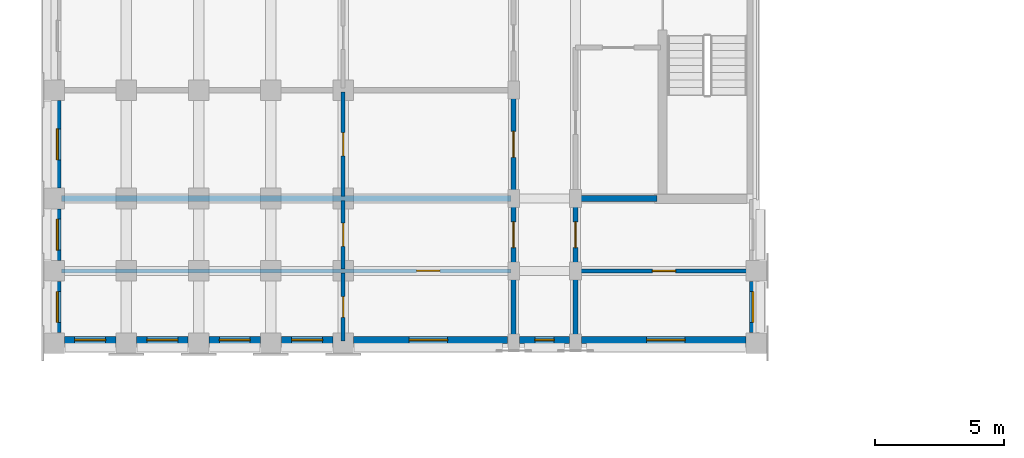
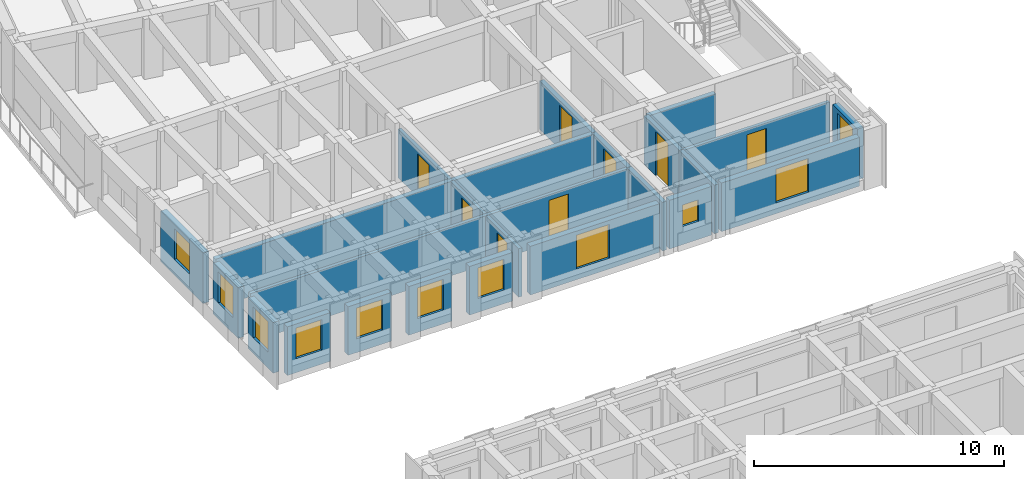
# One storey, part 22 of 54: 23 walls, 11 windows, 8 doors, 19 openings.
"""IFC4 building model written with IfcOpenShell, lengths in metres."""

from ifc_helpers import new_model, si_unit, direction, frame, frame_2d, origin, place, context, subcontext, project, spatial, rectangle, extrude, material, layer, layer_set, type_object, element, fill, save


model = new_model("IFC4")

# Units and contexts
model_context = context("Model", 3, precision=1e-05, world=origin(), true_north=direction((0.0, 1.0)))
body_context = subcontext(model_context, "Body", "Model", "MODEL_VIEW")
ifc_project = project(units=[si_unit("LENGTHUNIT", "METRE"), si_unit("AREAUNIT", "SQUARE_METRE"), si_unit("VOLUMEUNIT", "CUBIC_METRE"), si_unit("PLANEANGLEUNIT", "RADIAN"), si_unit("MASSUNIT", "GRAM", prefix="KILO")], contexts=[model_context])

# Site, building, storey
site_placement = place(None, origin())
site = spatial("IfcSite", under=ifc_project, at=site_placement, CompositionType="ELEMENT")
building_placement = place(site_placement, origin())
building = spatial("IfcBuilding", under=site, at=building_placement, Name="Kiranvali Square Residences", CompositionType="ELEMENT")
storey_placement = place(building_placement, frame((0.0, 0.0, 15.0)))
storey = spatial("IfcBuildingStorey", under=building, at=storey_placement, Name="L04", CompositionType="ELEMENT", Elevation=15.0)

# Wall, opening, door
ifc_material_1 = material(Name="Autoclaved aerated concrete blockwork masonry", Category="masonry")
ifc_layer_1 = layer(ifc_material_1, 0.199951171875)
ifc_layer_set_1 = layer_set([ifc_layer_1], Name="Autoclaved aerated concrete blockwork masonry")
wall_type_1 = type_object("IfcWallType", Name="WL-COR-200", PredefinedType="STANDARD", material=ifc_layer_set_1)
wall_1_placement = place(storey_placement, frame((20.0, 83.60009765625, 0.0), z_axis=(0.0, 0.0, 1.0), x_axis=(0.0, -1.0, 0.0)))
wall_1 = element("IfcWall", 1, at=wall_1_placement, inside=storey, type_object=wall_type_1, Name="L04 architectural wall WL-L04-A-A2CF-C1", PredefinedType="STANDARD", context=body_context, shape_type="SweptSolid", body=[
    extrude(rectangle(XDim=4.2001953125, YDim=0.199951171875, at=frame_2d((2.10009765625, 0.0))), origin(), (0.0, 0.0, 1.0), 2.3720703125),
])
opening_1_placement = place(wall_1_placement, frame((1.60009765625, 0.0, 0.0)))
opening_1 = element("IfcOpeningElement", 2, at=opening_1_placement, cuts=wall_1, Name="Opening FD-APT-60", PredefinedType="OPENING", context=body_context, shape_type="SweptSolid", body=[
    extrude(rectangle(XDim=1.0, YDim=2.14990234375, at=frame_2d((0.5, 1.074951171875))), frame((0.0, 0.10986328125, 0.0), z_axis=(0.0, -1.0, 0.0), x_axis=(1.0, 0.0, 0.0)), (0.0, 0.0, 1.0), 0.219970703125),
])
ifc_material_2 = material(Name="Fire-rated acoustic hardwood and mineral-core door assembly", Category="wood")
door_type_1 = type_object("IfcDoorType", Name="DR-APT-1000", OperationType="NOTDEFINED", PredefinedType="DOOR", material=ifc_material_2)
door_1_placement = place(opening_1_placement, frame((1.0, 0.0, 0.0), z_axis=(0.0, 0.0, 1.0), x_axis=(-1.0, 0.0, 0.0)))
door_1 = element("IfcDoor", 3, at=door_1_placement, inside=storey, type_object=door_type_1, Name="L04 door DR-L04-0322 (DR-APT-1000)", OperationType="SINGLE_SWING_RIGHT", OverallHeight=2.14990234375, OverallWidth=1.0, PredefinedType="DOOR", context=body_context, shape_type="SweptSolid", body=[
    extrude(rectangle(XDim=1.0, YDim=2.14990234375, at=frame_2d((0.5, 1.074951171875))), frame((0.0, 0.02490234375, 0.0), z_axis=(0.0, -1.0, 0.0), x_axis=(1.0, 0.0, 0.0)), (0.0, 0.0, 1.0), 0.050048828125),
])
fill(opening_1, door_1)

wall_2_placement = place(storey_placement, frame((22.39990234375, 79.39990234375, 0.0), z_axis=(0.0, 0.0, 1.0), x_axis=(0.0, -1.0, 0.0)))
wall_2 = element("IfcWall", 4, at=wall_2_placement, inside=storey, type_object=wall_type_1, Name="L04 architectural wall WL-L04-A-A2CI-0", PredefinedType="STANDARD", context=body_context, shape_type="SweptSolid", body=[
    extrude(rectangle(XDim=2.7998046875, YDim=0.199951171875, at=frame_2d((1.39990234375, 0.0))), origin(), (0.0, 0.0, 1.0), 2.3720703125),
])
opening_2_placement = place(wall_2_placement, frame((0.89990234375, 0.0, 0.0)))
opening_2 = element("IfcOpeningElement", 5, at=opening_2_placement, cuts=wall_2, Name="Opening FD-APT-60", PredefinedType="OPENING", context=body_context, shape_type="SweptSolid", body=[
    extrude(rectangle(XDim=1.0, YDim=2.14990234375, at=frame_2d((0.5, 1.074951171875))), frame((0.0, 0.10986328125, 0.0), z_axis=(0.0, -1.0, 0.0), x_axis=(1.0, 0.0, 0.0)), (0.0, 0.0, 1.0), 0.219970703125),
])
door_2_placement = place(opening_2_placement, frame((1.0, 0.0, 0.0), z_axis=(0.0, 0.0, 1.0), x_axis=(-1.0, 0.0, 0.0)))
door_2 = element("IfcDoor", 6, at=door_2_placement, inside=storey, type_object=door_type_1, Name="L04 door DR-L04-0324 (DR-APT-1000)", OperationType="SINGLE_SWING_RIGHT", OverallHeight=2.14990234375, OverallWidth=1.0, PredefinedType="DOOR", context=body_context, shape_type="SweptSolid", body=[
    extrude(rectangle(XDim=1.0, YDim=2.14990234375, at=frame_2d((0.5, 1.074951171875))), frame((0.0, 0.02490234375, 0.0), z_axis=(0.0, -1.0, 0.0), x_axis=(1.0, 0.0, 0.0)), (0.0, 0.0, 1.0), 0.050048828125),
])
fill(opening_2, door_2)

wall_3_placement = place(storey_placement, frame((20.0, 79.39990234375, 0.0), z_axis=(0.0, 0.0, 1.0), x_axis=(0.0, -1.0, 0.0)))
wall_3 = element("IfcWall", 7, at=wall_3_placement, inside=storey, type_object=wall_type_1, Name="L04 architectural wall WL-L04-A-A2CO-0", PredefinedType="STANDARD", context=body_context, shape_type="SweptSolid", body=[
    extrude(rectangle(XDim=2.7998046875, YDim=0.199951171875, at=frame_2d((1.39990234375, 0.0))), origin(), (0.0, 0.0, 1.0), 2.3720703125),
])
opening_3_placement = place(wall_3_placement, frame((0.89990234375, 0.0, 0.0)))
opening_3 = element("IfcOpeningElement", 8, at=opening_3_placement, cuts=wall_3, Name="Opening FD-APT-60", PredefinedType="OPENING", context=body_context, shape_type="SweptSolid", body=[
    extrude(rectangle(XDim=1.0, YDim=2.14990234375, at=frame_2d((0.5, 1.074951171875))), frame((0.0, 0.10986328125, 0.0), z_axis=(0.0, -1.0, 0.0), x_axis=(1.0, 0.0, 0.0)), (0.0, 0.0, 1.0), 0.219970703125),
])
door_3_placement = place(opening_3_placement, frame((1.0, 0.0, 0.0), z_axis=(0.0, 0.0, 1.0), x_axis=(-1.0, 0.0, 0.0)))
door_3 = element("IfcDoor", 9, at=door_3_placement, inside=storey, type_object=door_type_1, Name="L04 door DR-L04-0326 (DR-APT-1000)", OperationType="SINGLE_SWING_RIGHT", OverallHeight=2.14990234375, OverallWidth=1.0, PredefinedType="DOOR", context=body_context, shape_type="SweptSolid", body=[
    extrude(rectangle(XDim=1.0, YDim=2.14990234375, at=frame_2d((0.5, 1.074951171875))), frame((0.0, 0.02490234375, 0.0), z_axis=(0.0, -1.0, 0.0), x_axis=(1.0, 0.0, 0.0)), (0.0, 0.0, 1.0), 0.050048828125),
])
fill(opening_3, door_3)

# Walls
for number, where, z_axis, x_axis, name in (
    (10, (22.39990234375, 76.60009765625, 0.0), (0.0, 0.0, 1.0), (0.0, -1.0, 0.0), "L04 architectural wall WL-L04-A-A2CI-1"),
    (11, (20.0, 76.60009765625, 0.0), (0.0, 0.0, 1.0), (0.0, -1.0, 0.0), "L04 architectural wall WL-L04-A-A2CO-1"),
):
    element("IfcWall", number, at=place(storey_placement, frame(where, z_axis=z_axis, x_axis=x_axis)), inside=storey, type_object=wall_type_1, Name=name, PredefinedType="STANDARD", context=body_context, shape_type="SweptSolid", body=[
        extrude(rectangle(XDim=2.800048828125, YDim=0.199951171875, at=frame_2d((1.39990234375, 0.0))), origin(), (0.0, 0.0, 1.0), 2.3720703125),
    ])
ifc_layer_2 = layer(ifc_material_1, 0.219970703125)
ifc_layer_set_2 = layer_set([ifc_layer_2], Name="Autoclaved aerated concrete blockwork masonry")
wall_type_2 = type_object("IfcWallType", Name="WL-DEM-220", PredefinedType="STANDARD", material=ifc_layer_set_2)
wall_4_placement = place(storey_placement, frame((25.550048828125, 79.39990234375, 0.0), z_axis=(0.0, 0.0, 1.0), x_axis=(-1.0, 0.0, 0.0)))
element("IfcWall", 12, at=wall_4_placement, inside=storey, type_object=wall_type_2, Name="L04 architectural wall WL-L04-A-A2TI-0", PredefinedType="STANDARD", context=body_context, shape_type="SweptSolid", body=[
    extrude(rectangle(XDim=3.10009765625, YDim=0.219970703125, at=frame_2d((1.550048828125, 0.0))), origin(), (0.0, 0.0, 1.0), 2.3720703125),
])
wall_5_placement = place(storey_placement, frame((19.89990234375, 79.39990234375, 0.0), z_axis=(0.0, 0.0, 1.0), x_axis=(-1.0, 0.0, 0.0)))
element("IfcWall", 13, at=wall_5_placement, inside=storey, type_object=wall_type_2, Name="L04 architectural wall WL-L04-A-A2TO-0", PredefinedType="STANDARD", context=body_context, shape_type="SweptSolid", body=[
    extrude(rectangle(XDim=17.419921875, YDim=0.219970703125, at=frame_2d((8.7099609375, 0.0))), origin(), (0.0, 0.0, 1.0), 2.3720703125),
])

# Wall, opening, window
ifc_material_3 = material(Name="Breathable lime-rendered clay brick masonry", Category="masonry")
ifc_layer_3 = layer(ifc_material_3, 0.27490234375)
ifc_layer_set_3 = layer_set([ifc_layer_3], Name="Breathable lime-rendered clay brick masonry")
wall_type_3 = type_object("IfcWallType", Name="WL-EXT-275", PredefinedType="STANDARD", material=ifc_layer_set_3)
wall_6_placement = place(storey_placement, frame((2.324951171875, 83.196533203125, 0.0), z_axis=(0.0, 0.0, 1.0), x_axis=(0.0, -1.0, 0.0)))
wall_6 = element("IfcWall", 14, at=wall_6_placement, inside=storey, type_object=wall_type_3, Name="L04 exterior wall A-L04-A2O-1", PredefinedType="STANDARD", context=body_context, shape_type="SweptSolid", body=[
    extrude(rectangle(XDim=3.39306640625, YDim=0.27490234375, at=frame_2d((1.696533203125, 0.0))), origin(), (0.0, 0.0, 1.0), 2.471923828125),
])
opening_4_placement = place(wall_6_placement, frame((1.096435546875, 0.0, 0.77197265625)))
opening_4 = element("IfcOpeningElement", 15, at=opening_4_placement, cuts=wall_6, Name="Opening W-06", PredefinedType="OPENING", context=body_context, shape_type="SweptSolid", body=[
    extrude(rectangle(XDim=1.199951171875, YDim=1.5, at=frame_2d((0.60009765625, 0.75))), frame((0.0, 0.1474609375, 0.0), z_axis=(0.0, -1.0, 0.0), x_axis=(1.0, 0.0, 0.0)), (0.0, 0.0, 1.0), 0.294921875),
])
ifc_material_4 = material(Name="Solar-control low-e double glazing", Category="glass")
window_type_1 = type_object("IfcWindowType", Name="WIN-RES-1200x1500", PartitioningType="SINGLE_PANEL", PredefinedType="WINDOW", material=ifc_material_4)
window_1_placement = place(opening_4_placement, origin())
window_1 = element("IfcWindow", 16, at=window_1_placement, inside=storey, type_object=window_type_1, Name="L04 recessed window A-L04-A2O-1", OverallHeight=1.5, OverallWidth=1.199951171875, PartitioningType="SINGLE_PANEL", PredefinedType="WINDOW", context=body_context, shape_type="SweptSolid", body=[
    extrude(rectangle(XDim=1.199951171875, YDim=1.5, at=frame_2d((0.60009765625, 0.75))), frame((0.0, 0.030029296875, 0.0), z_axis=(0.0, -1.0, 0.0), x_axis=(1.0, 0.0, 0.0)), (0.0, 0.0, 1.0), 0.06005859375),
])
fill(opening_4, window_1)

wall_7_placement = place(storey_placement, frame((2.324951171875, 78.99658203125, 0.0), z_axis=(0.0, 0.0, 1.0), x_axis=(0.0, -1.0, 0.0)))
wall_7 = element("IfcWall", 17, at=wall_7_placement, inside=storey, type_object=wall_type_3, Name="L04 exterior wall A-L04-A2O-2", PredefinedType="STANDARD", context=body_context, shape_type="SweptSolid", body=[
    extrude(rectangle(XDim=1.9931640625, YDim=0.27490234375, at=frame_2d((0.99658203125, 0.0))), origin(), (0.0, 0.0, 1.0), 2.471923828125),
])
opening_5_placement = place(wall_7_placement, frame((0.396484375, 0.0, 0.77197265625)))
opening_5 = element("IfcOpeningElement", 18, at=opening_5_placement, cuts=wall_7, Name="Opening W-06", PredefinedType="OPENING", context=body_context, shape_type="SweptSolid", body=[
    extrude(rectangle(XDim=1.199951171875, YDim=1.5, at=frame_2d((0.60009765625, 0.75))), frame((0.0, 0.1474609375, 0.0), z_axis=(0.0, -1.0, 0.0), x_axis=(1.0, 0.0, 0.0)), (0.0, 0.0, 1.0), 0.294921875),
])
window_2_placement = place(opening_5_placement, origin())
window_2 = element("IfcWindow", 19, at=window_2_placement, inside=storey, type_object=window_type_1, Name="L04 recessed window A-L04-A2O-2", OverallHeight=1.5, OverallWidth=1.199951171875, PartitioningType="SINGLE_PANEL", PredefinedType="WINDOW", context=body_context, shape_type="SweptSolid", body=[
    extrude(rectangle(XDim=1.199951171875, YDim=1.5, at=frame_2d((0.60009765625, 0.75))), frame((0.0, 0.030029296875, 0.0), z_axis=(0.0, -1.0, 0.0), x_axis=(1.0, 0.0, 0.0)), (0.0, 0.0, 1.0), 0.06005859375),
])
fill(opening_5, window_2)

wall_8_placement = place(storey_placement, frame((2.324951171875, 76.196533203125, 0.0), z_axis=(0.0, 0.0, 1.0), x_axis=(0.0, -1.0, 0.0)))
wall_8 = element("IfcWall", 20, at=wall_8_placement, inside=storey, type_object=wall_type_3, Name="L04 exterior wall A-L04-A2O-3", PredefinedType="STANDARD", context=body_context, shape_type="SweptSolid", body=[
    extrude(rectangle(XDim=1.992919921875, YDim=0.27490234375, at=frame_2d((0.99658203125, 0.0))), origin(), (0.0, 0.0, 1.0), 2.471923828125),
])
opening_6_placement = place(wall_8_placement, frame((0.396484375, 0.0, 0.77197265625)))
opening_6 = element("IfcOpeningElement", 21, at=opening_6_placement, cuts=wall_8, Name="Opening W-06", PredefinedType="OPENING", context=body_context, shape_type="SweptSolid", body=[
    extrude(rectangle(XDim=1.199951171875, YDim=1.5, at=frame_2d((0.60009765625, 0.75))), frame((0.0, 0.1474609375, 0.0), z_axis=(0.0, -1.0, 0.0), x_axis=(1.0, 0.0, 0.0)), (0.0, 0.0, 1.0), 0.294921875),
])
window_3_placement = place(opening_6_placement, origin())
window_3 = element("IfcWindow", 22, at=window_3_placement, inside=storey, type_object=window_type_1, Name="L04 recessed window A-L04-A2O-3", OverallHeight=1.5, OverallWidth=1.199951171875, PartitioningType="SINGLE_PANEL", PredefinedType="WINDOW", context=body_context, shape_type="SweptSolid", body=[
    extrude(rectangle(XDim=1.199951171875, YDim=1.5, at=frame_2d((0.60009765625, 0.75))), frame((0.0, 0.030029296875, 0.0), z_axis=(0.0, -1.0, 0.0), x_axis=(1.0, 0.0, 0.0)), (0.0, 0.0, 1.0), 0.06005859375),
])
fill(opening_6, window_3)

wall_9_placement = place(storey_placement, frame((29.27490234375, 76.196533203125, 0.0), z_axis=(0.0, 0.0, 1.0), x_axis=(0.0, -1.0, 0.0)))
wall_9 = element("IfcWall", 23, at=wall_9_placement, inside=storey, type_object=wall_type_3, Name="L04 exterior wall A-L04-A2I-1", PredefinedType="STANDARD", context=body_context, shape_type="SweptSolid", body=[
    extrude(rectangle(XDim=1.992919921875, YDim=0.27490234375, at=frame_2d((0.99658203125, 0.0))), origin(), (0.0, 0.0, 1.0), 2.471923828125),
])
opening_7_placement = place(wall_9_placement, frame((0.396484375, 0.0, 0.77197265625)))
opening_7 = element("IfcOpeningElement", 24, at=opening_7_placement, cuts=wall_9, Name="Opening W-06", PredefinedType="OPENING", context=body_context, shape_type="SweptSolid", body=[
    extrude(rectangle(XDim=1.199951171875, YDim=1.5, at=frame_2d((0.60009765625, 0.75))), frame((0.0, 0.1474609375, 0.0), z_axis=(0.0, -1.0, 0.0), x_axis=(1.0, 0.0, 0.0)), (0.0, 0.0, 1.0), 0.294921875),
])
window_4_placement = place(opening_7_placement, origin())
window_4 = element("IfcWindow", 25, at=window_4_placement, inside=storey, type_object=window_type_1, Name="L04 recessed window A-L04-A2I-1", OverallHeight=1.5, OverallWidth=1.199951171875, PartitioningType="SINGLE_PANEL", PredefinedType="WINDOW", context=body_context, shape_type="SweptSolid", body=[
    extrude(rectangle(XDim=1.199951171875, YDim=1.5, at=frame_2d((0.60009765625, 0.75))), frame((0.0, 0.030029296875, 0.0), z_axis=(0.0, -1.0, 0.0), x_axis=(1.0, 0.0, 0.0)), (0.0, 0.0, 1.0), 0.06005859375),
])
fill(opening_7, window_4)

wall_10_placement = place(storey_placement, frame((28.99658203125, 73.925048828125, 0.0), z_axis=(0.0, 0.0, 1.0), x_axis=(-1.0, 0.0, 0.0)))
wall_10 = element("IfcWall", 26, at=wall_10_placement, inside=storey, type_object=wall_type_3, Name="L04 exterior wall A-L04-A2END-0", PredefinedType="STANDARD", context=body_context, shape_type="SweptSolid", body=[
    extrude(rectangle(XDim=6.3681640625, YDim=0.27490234375, at=frame_2d((3.18408203125, 0.0))), origin(), (0.0, 0.0, 1.0), 2.3720703125),
])
opening_8_placement = place(wall_10_placement, frame((2.346435546875, 0.0, 0.52197265625)))
opening_8 = element("IfcOpeningElement", 27, at=opening_8_placement, cuts=wall_10, Name="Opening W-05", PredefinedType="OPENING", context=body_context, shape_type="SweptSolid", body=[
    extrude(rectangle(XDim=1.5, YDim=1.64990234375, at=frame_2d((0.75, 0.824951171875))), frame((0.0, 0.1474609375, 0.0), z_axis=(0.0, -1.0, 0.0), x_axis=(1.0, 0.0, 0.0)), (0.0, 0.0, 1.0), 0.294921875),
])
window_type_2 = type_object("IfcWindowType", Name="WIN-RES-1500x1650", PartitioningType="DOUBLE_PANEL_VERTICAL", PredefinedType="WINDOW", material=ifc_material_4)
window_5_placement = place(opening_8_placement, origin())
window_5 = element("IfcWindow", 28, at=window_5_placement, inside=storey, type_object=window_type_2, Name="L04 recessed window A-L04-A2END-0", OverallHeight=1.64990234375, OverallWidth=1.5, PartitioningType="DOUBLE_PANEL_VERTICAL", PredefinedType="WINDOW", context=body_context, shape_type="SweptSolid", body=[
    extrude(rectangle(XDim=1.5, YDim=1.64990234375, at=frame_2d((0.75, 0.824951171875))), frame((0.0, 0.030029296875, 0.0), z_axis=(0.0, -1.0, 0.0), x_axis=(1.0, 0.0, 0.0)), (0.0, 0.0, 1.0), 0.06005859375),
])
fill(opening_8, window_5)

wall_11_placement = place(storey_placement, frame((22.17138671875, 73.925048828125, 0.0), z_axis=(0.0, 0.0, 1.0), x_axis=(-1.0, 0.0, 0.0)))
wall_11 = element("IfcWall", 29, at=wall_11_placement, inside=storey, type_object=wall_type_3, Name="L04 exterior wall A-L04-A2END-1", PredefinedType="STANDARD", context=body_context, shape_type="SweptSolid", body=[
    extrude(rectangle(XDim=1.94287109375, YDim=0.27490234375, at=frame_2d((0.971435546875, 0.0))), origin(), (0.0, 0.0, 1.0), 2.3720703125),
])
opening_9_placement = place(wall_11_placement, frame((0.596435546875, 0.0, 0.8798828125)))
opening_9 = element("IfcOpeningElement", 30, at=opening_9_placement, cuts=wall_11, Name="Opening W-07", PredefinedType="OPENING", context=body_context, shape_type="SweptSolid", body=[
    extrude(rectangle(XDim=0.75, YDim=1.050048828125, at=frame_2d((0.375, 0.52490234375))), frame((0.0, 0.1474609375, 0.0), z_axis=(0.0, -1.0, 0.0), x_axis=(1.0, 0.0, 0.0)), (0.0, 0.0, 1.0), 0.294921875),
])
window_type_3 = type_object("IfcWindowType", Name="WIN-WET-750x1050", PartitioningType="SINGLE_PANEL", PredefinedType="WINDOW", material=ifc_material_4)
window_6_placement = place(opening_9_placement, origin())
window_6 = element("IfcWindow", 31, at=window_6_placement, inside=storey, type_object=window_type_3, Name="L04 recessed window A-L04-A2END-1", OverallHeight=1.050048828125, OverallWidth=0.75, PartitioningType="SINGLE_PANEL", PredefinedType="WINDOW", context=body_context, shape_type="SweptSolid", body=[
    extrude(rectangle(XDim=0.75, YDim=1.050048828125, at=frame_2d((0.375, 0.52490234375))), frame((0.0, 0.030029296875, 0.0), z_axis=(0.0, -1.0, 0.0), x_axis=(1.0, 0.0, 0.0)), (0.0, 0.0, 1.0), 0.06005859375),
])
fill(opening_9, window_6)

wall_12_placement = place(storey_placement, frame((19.771484375, 73.925048828125, 0.0), z_axis=(0.0, 0.0, 1.0), x_axis=(-1.0, 0.0, 0.0)))
wall_12 = element("IfcWall", 32, at=wall_12_placement, inside=storey, type_object=wall_type_3, Name="L04 exterior wall A-L04-A2END-2", PredefinedType="STANDARD", context=body_context, shape_type="SweptSolid", body=[
    extrude(rectangle(XDim=5.968017578125, YDim=0.27490234375, at=frame_2d((2.98388671875, 0.0))), origin(), (0.0, 0.0, 1.0), 2.3720703125),
])
opening_10_placement = place(wall_12_placement, frame((2.321533203125, 0.0, 0.52197265625)))
opening_10 = element("IfcOpeningElement", 33, at=opening_10_placement, cuts=wall_12, Name="Opening W-05", PredefinedType="OPENING", context=body_context, shape_type="SweptSolid", body=[
    extrude(rectangle(XDim=1.5, YDim=1.64990234375, at=frame_2d((0.75, 0.824951171875))), frame((0.0, 0.1474609375, 0.0), z_axis=(0.0, -1.0, 0.0), x_axis=(1.0, 0.0, 0.0)), (0.0, 0.0, 1.0), 0.294921875),
])
window_7_placement = place(opening_10_placement, origin())
window_7 = element("IfcWindow", 34, at=window_7_placement, inside=storey, type_object=window_type_2, Name="L04 recessed window A-L04-A2END-2", OverallHeight=1.64990234375, OverallWidth=1.5, PartitioningType="DOUBLE_PANEL_VERTICAL", PredefinedType="WINDOW", context=body_context, shape_type="SweptSolid", body=[
    extrude(rectangle(XDim=1.5, YDim=1.64990234375, at=frame_2d((0.75, 0.824951171875))), frame((0.0, 0.030029296875, 0.0), z_axis=(0.0, -1.0, 0.0), x_axis=(1.0, 0.0, 0.0)), (0.0, 0.0, 1.0), 0.06005859375),
])
fill(opening_10, window_7)

wall_13_placement = place(storey_placement, frame((12.99658203125, 73.925048828125, 0.0), z_axis=(0.0, 0.0, 1.0), x_axis=(-1.0, 0.0, 0.0)))
wall_13 = element("IfcWall", 35, at=wall_13_placement, inside=storey, type_object=wall_type_3, Name="L04 exterior wall A-L04-A2END-3", PredefinedType="STANDARD", context=body_context, shape_type="SweptSolid", body=[
    extrude(rectangle(XDim=1.9931640625, YDim=0.27490234375, at=frame_2d((0.99658203125, 0.0))), origin(), (0.0, 0.0, 1.0), 2.3720703125),
])
opening_11_placement = place(wall_13_placement, frame((0.396484375, 0.0, 0.672119140625)))
opening_11 = element("IfcOpeningElement", 36, at=opening_11_placement, cuts=wall_13, Name="Opening W-06", PredefinedType="OPENING", context=body_context, shape_type="SweptSolid", body=[
    extrude(rectangle(XDim=1.199951171875, YDim=1.5, at=frame_2d((0.60009765625, 0.75))), frame((0.0, 0.1474609375, 0.0), z_axis=(0.0, -1.0, 0.0), x_axis=(1.0, 0.0, 0.0)), (0.0, 0.0, 1.0), 0.294921875),
])
window_8_placement = place(opening_11_placement, origin())
window_8 = element("IfcWindow", 37, at=window_8_placement, inside=storey, type_object=window_type_1, Name="L04 recessed window A-L04-A2END-3", OverallHeight=1.5, OverallWidth=1.199951171875, PartitioningType="SINGLE_PANEL", PredefinedType="WINDOW", context=body_context, shape_type="SweptSolid", body=[
    extrude(rectangle(XDim=1.199951171875, YDim=1.5, at=frame_2d((0.60009765625, 0.75))), frame((0.0, 0.030029296875, 0.0), z_axis=(0.0, -1.0, 0.0), x_axis=(1.0, 0.0, 0.0)), (0.0, 0.0, 1.0), 0.06005859375),
])
fill(opening_11, window_8)

wall_14_placement = place(storey_placement, frame((10.196533203125, 73.925048828125, 0.0), z_axis=(0.0, 0.0, 1.0), x_axis=(-1.0, 0.0, 0.0)))
wall_14 = element("IfcWall", 38, at=wall_14_placement, inside=storey, type_object=wall_type_3, Name="L04 exterior wall A-L04-A2END-4", PredefinedType="STANDARD", context=body_context, shape_type="SweptSolid", body=[
    extrude(rectangle(XDim=1.992919921875, YDim=0.27490234375, at=frame_2d((0.99658203125, 0.0))), origin(), (0.0, 0.0, 1.0), 2.3720703125),
])
opening_12_placement = place(wall_14_placement, frame((0.396484375, 0.0, 0.672119140625)))
opening_12 = element("IfcOpeningElement", 39, at=opening_12_placement, cuts=wall_14, Name="Opening W-06", PredefinedType="OPENING", context=body_context, shape_type="SweptSolid", body=[
    extrude(rectangle(XDim=1.199951171875, YDim=1.5, at=frame_2d((0.60009765625, 0.75))), frame((0.0, 0.1474609375, 0.0), z_axis=(0.0, -1.0, 0.0), x_axis=(1.0, 0.0, 0.0)), (0.0, 0.0, 1.0), 0.294921875),
])
window_9_placement = place(opening_12_placement, origin())
window_9 = element("IfcWindow", 40, at=window_9_placement, inside=storey, type_object=window_type_1, Name="L04 recessed window A-L04-A2END-4", OverallHeight=1.5, OverallWidth=1.199951171875, PartitioningType="SINGLE_PANEL", PredefinedType="WINDOW", context=body_context, shape_type="SweptSolid", body=[
    extrude(rectangle(XDim=1.199951171875, YDim=1.5, at=frame_2d((0.60009765625, 0.75))), frame((0.0, 0.030029296875, 0.0), z_axis=(0.0, -1.0, 0.0), x_axis=(1.0, 0.0, 0.0)), (0.0, 0.0, 1.0), 0.06005859375),
])
fill(opening_12, window_9)

wall_15_placement = place(storey_placement, frame((7.396484375, 73.925048828125, 0.0), z_axis=(0.0, 0.0, 1.0), x_axis=(-1.0, 0.0, 0.0)))
wall_15 = element("IfcWall", 41, at=wall_15_placement, inside=storey, type_object=wall_type_3, Name="L04 exterior wall A-L04-A2END-5", PredefinedType="STANDARD", context=body_context, shape_type="SweptSolid", body=[
    extrude(rectangle(XDim=1.992919921875, YDim=0.27490234375, at=frame_2d((0.99658203125, 0.0))), origin(), (0.0, 0.0, 1.0), 2.3720703125),
])
opening_13_placement = place(wall_15_placement, frame((0.396484375, 0.0, 0.672119140625)))
opening_13 = element("IfcOpeningElement", 42, at=opening_13_placement, cuts=wall_15, Name="Opening W-06", PredefinedType="OPENING", context=body_context, shape_type="SweptSolid", body=[
    extrude(rectangle(XDim=1.199951171875, YDim=1.5, at=frame_2d((0.60009765625, 0.75))), frame((0.0, 0.1474609375, 0.0), z_axis=(0.0, -1.0, 0.0), x_axis=(1.0, 0.0, 0.0)), (0.0, 0.0, 1.0), 0.294921875),
])
window_10_placement = place(opening_13_placement, origin())
window_10 = element("IfcWindow", 43, at=window_10_placement, inside=storey, type_object=window_type_1, Name="L04 recessed window A-L04-A2END-5", OverallHeight=1.5, OverallWidth=1.199951171875, PartitioningType="SINGLE_PANEL", PredefinedType="WINDOW", context=body_context, shape_type="SweptSolid", body=[
    extrude(rectangle(XDim=1.199951171875, YDim=1.5, at=frame_2d((0.60009765625, 0.75))), frame((0.0, 0.030029296875, 0.0), z_axis=(0.0, -1.0, 0.0), x_axis=(1.0, 0.0, 0.0)), (0.0, 0.0, 1.0), 0.06005859375),
])
fill(opening_13, window_10)

wall_16_placement = place(storey_placement, frame((4.596435546875, 73.925048828125, 0.0), z_axis=(0.0, 0.0, 1.0), x_axis=(-1.0, 0.0, 0.0)))
wall_16 = element("IfcWall", 44, at=wall_16_placement, inside=storey, type_object=wall_type_3, Name="L04 exterior wall A-L04-A2END-6", PredefinedType="STANDARD", context=body_context, shape_type="SweptSolid", body=[
    extrude(rectangle(XDim=1.992919921875, YDim=0.27490234375, at=frame_2d((0.99658203125, 0.0))), origin(), (0.0, 0.0, 1.0), 2.3720703125),
])
opening_14_placement = place(wall_16_placement, frame((0.396484375, 0.0, 0.672119140625)))
opening_14 = element("IfcOpeningElement", 45, at=opening_14_placement, cuts=wall_16, Name="Opening W-06", PredefinedType="OPENING", context=body_context, shape_type="SweptSolid", body=[
    extrude(rectangle(XDim=1.199951171875, YDim=1.5, at=frame_2d((0.60009765625, 0.75))), frame((0.0, 0.1474609375, 0.0), z_axis=(0.0, -1.0, 0.0), x_axis=(1.0, 0.0, 0.0)), (0.0, 0.0, 1.0), 0.294921875),
])
window_11_placement = place(opening_14_placement, origin())
window_11 = element("IfcWindow", 46, at=window_11_placement, inside=storey, type_object=window_type_1, Name="L04 recessed window A-L04-A2END-6", OverallHeight=1.5, OverallWidth=1.199951171875, PartitioningType="SINGLE_PANEL", PredefinedType="WINDOW", context=body_context, shape_type="SweptSolid", body=[
    extrude(rectangle(XDim=1.199951171875, YDim=1.5, at=frame_2d((0.60009765625, 0.75))), frame((0.0, 0.030029296875, 0.0), z_axis=(0.0, -1.0, 0.0), x_axis=(1.0, 0.0, 0.0)), (0.0, 0.0, 1.0), 0.06005859375),
])
fill(opening_14, window_11)

# Wall, opening, door
ifc_material_5 = material(Name="Acoustic gypsum board drylined partition", Category="gypsum")
ifc_layer_4 = layer(ifc_material_5, 0.14990234375)
ifc_layer_set_4 = layer_set([ifc_layer_4], Name="Acoustic gypsum board drylined partition")
wall_type_4 = type_object("IfcWallType", Name="WL-PRT-150", PredefinedType="PARTITIONING", material=ifc_layer_set_4)
wall_17_placement = place(storey_placement, frame((13.39990234375, 83.52001953125, 0.0), z_axis=(0.0, 0.0, 1.0), x_axis=(0.0, -1.0, 0.0)))
wall_17 = element("IfcWall", 47, at=wall_17_placement, inside=storey, type_object=wall_type_4, Name="L04 architectural wall WL-L04-A-A2CF-SP1", PredefinedType="PARTITIONING", context=body_context, shape_type="SweptSolid", body=[
    extrude(rectangle(XDim=4.0400390625, YDim=0.14990234375, at=frame_2d((2.02001953125, 0.0))), origin(), (0.0, 0.0, 1.0), 2.3720703125),
])
opening_15_placement = place(wall_17_placement, frame((1.570068359375, 0.0, 0.0)))
opening_15 = element("IfcOpeningElement", 48, at=opening_15_placement, cuts=wall_17, Name="Opening ID-1", PredefinedType="OPENING", context=body_context, shape_type="SweptSolid", body=[
    extrude(rectangle(XDim=0.89990234375, YDim=2.10009765625, at=frame_2d((0.449951171875, 1.050048828125))), frame((0.0, 0.0849609375, 0.0), z_axis=(0.0, -1.0, 0.0), x_axis=(1.0, 0.0, 0.0)), (0.0, 0.0, 1.0), 0.169921875),
])
ifc_material_6 = material(Name="Solid seasoned teak hardwood joinery", Category="wood")
door_type_2 = type_object("IfcDoorType", Name="DR-INT-900", OperationType="NOTDEFINED", PredefinedType="DOOR", material=ifc_material_6)
door_4_placement = place(opening_15_placement, origin())
door_4 = element("IfcDoor", 49, at=door_4_placement, inside=storey, type_object=door_type_2, Name="L04 door DR-L04-0323 (DR-INT-900)", OperationType="SINGLE_SWING_LEFT", OverallHeight=2.10009765625, OverallWidth=0.89990234375, PredefinedType="DOOR", context=body_context, shape_type="SweptSolid", body=[
    extrude(rectangle(XDim=0.89990234375, YDim=2.10009765625, at=frame_2d((0.449951171875, 1.050048828125))), frame((0.0, 0.02490234375, 0.0), z_axis=(0.0, -1.0, 0.0), x_axis=(1.0, 0.0, 0.0)), (0.0, 0.0, 1.0), 0.050048828125),
])
fill(opening_15, door_4)

wall_18_placement = place(storey_placement, frame((29.199951171875, 76.60009765625, 0.0), z_axis=(0.0, 0.0, 1.0), x_axis=(-1.0, 0.0, 0.0)))
wall_18 = element("IfcWall", 50, at=wall_18_placement, inside=storey, type_object=wall_type_4, Name="L04 architectural wall WL-L04-A-A2TI-1", PredefinedType="PARTITIONING", context=body_context, shape_type="SweptSolid", body=[
    extrude(rectangle(XDim=6.75, YDim=0.14990234375, at=frame_2d((3.375, 0.0))), origin(), (0.0, 0.0, 1.0), 2.3720703125),
])
opening_16_placement = place(wall_18_placement, frame((2.925048828125, 0.0, 0.0)))
opening_16 = element("IfcOpeningElement", 51, at=opening_16_placement, cuts=wall_18, Name="Opening ID-1", PredefinedType="OPENING", context=body_context, shape_type="SweptSolid", body=[
    extrude(rectangle(XDim=0.89990234375, YDim=2.10009765625, at=frame_2d((0.449951171875, 1.050048828125))), frame((0.0, 0.0849609375, 0.0), z_axis=(0.0, -1.0, 0.0), x_axis=(1.0, 0.0, 0.0)), (0.0, 0.0, 1.0), 0.169921875),
])
door_5_placement = place(opening_16_placement, frame((0.89990234375, 0.0, 0.0), z_axis=(0.0, 0.0, 1.0), x_axis=(-1.0, 0.0, 0.0)))
door_5 = element("IfcDoor", 52, at=door_5_placement, inside=storey, type_object=door_type_2, Name="L04 door DR-L04-0328 (DR-INT-900)", OperationType="SINGLE_SWING_RIGHT", OverallHeight=2.10009765625, OverallWidth=0.89990234375, PredefinedType="DOOR", context=body_context, shape_type="SweptSolid", body=[
    extrude(rectangle(XDim=0.89990234375, YDim=2.10009765625, at=frame_2d((0.449951171875, 1.050048828125))), frame((0.0, 0.02490234375, 0.0), z_axis=(0.0, -1.0, 0.0), x_axis=(1.0, 0.0, 0.0)), (0.0, 0.0, 1.0), 0.050048828125),
])
fill(opening_16, door_5)

wall_19_placement = place(storey_placement, frame((19.89990234375, 76.60009765625, 0.0), z_axis=(0.0, 0.0, 1.0), x_axis=(-1.0, 0.0, 0.0)))
wall_19 = element("IfcWall", 53, at=wall_19_placement, inside=storey, type_object=wall_type_4, Name="L04 architectural wall WL-L04-A-A2TO-1", PredefinedType="PARTITIONING", context=body_context, shape_type="SweptSolid", body=[
    extrude(rectangle(XDim=17.419921875, YDim=0.14990234375, at=frame_2d((8.7099609375, 0.0))), origin(), (0.0, 0.0, 1.0), 2.3720703125),
])
opening_17_placement = place(wall_19_placement, frame((2.75, 0.0, 0.0)))
opening_17 = element("IfcOpeningElement", 54, at=opening_17_placement, cuts=wall_19, Name="Opening ID-1", PredefinedType="OPENING", context=body_context, shape_type="SweptSolid", body=[
    extrude(rectangle(XDim=0.89990234375, YDim=2.10009765625, at=frame_2d((0.449951171875, 1.050048828125))), frame((0.0, 0.0849609375, 0.0), z_axis=(0.0, -1.0, 0.0), x_axis=(1.0, 0.0, 0.0)), (0.0, 0.0, 1.0), 0.169921875),
])
door_6_placement = place(opening_17_placement, origin())
door_6 = element("IfcDoor", 55, at=door_6_placement, inside=storey, type_object=door_type_2, Name="L04 door DR-L04-0329 (DR-INT-900)", OperationType="SINGLE_SWING_LEFT", OverallHeight=2.10009765625, OverallWidth=0.89990234375, PredefinedType="DOOR", context=body_context, shape_type="SweptSolid", body=[
    extrude(rectangle(XDim=0.89990234375, YDim=2.10009765625, at=frame_2d((0.449951171875, 1.050048828125))), frame((0.0, 0.02490234375, 0.0), z_axis=(0.0, -1.0, 0.0), x_axis=(1.0, 0.0, 0.0)), (0.0, 0.0, 1.0), 0.050048828125),
])
fill(opening_17, door_6)

ifc_layer_5 = layer(ifc_material_1, 0.14990234375)
ifc_layer_set_5 = layer_set([ifc_layer_5], Name="Autoclaved aerated concrete blockwork masonry")
wall_type_5 = type_object("IfcWallType", Name="WL-WET-150", PredefinedType="PLUMBINGWALL", material=ifc_layer_set_5)
wall_20_placement = place(storey_placement, frame((13.39990234375, 79.320068359375, 0.0), z_axis=(0.0, 0.0, 1.0), x_axis=(0.0, -1.0, 0.0)))
wall_20 = element("IfcWall", 56, at=wall_20_placement, inside=storey, type_object=wall_type_5, Name="L04 architectural wall WL-L04-A-A2SP-0", PredefinedType="PLUMBINGWALL", context=body_context, shape_type="SweptSolid", body=[
    extrude(rectangle(XDim=2.64013671875, YDim=0.14990234375, at=frame_2d((1.320068359375, 0.0))), origin(), (0.0, 0.0, 1.0), 2.3720703125),
])
opening_18_placement = place(wall_20_placement, frame((0.8701171875, 0.0, 0.0)))
opening_18 = element("IfcOpeningElement", 57, at=opening_18_placement, cuts=wall_20, Name="Opening ID-1", PredefinedType="OPENING", context=body_context, shape_type="SweptSolid", body=[
    extrude(rectangle(XDim=0.89990234375, YDim=2.10009765625, at=frame_2d((0.449951171875, 1.050048828125))), frame((0.0, 0.0849609375, 0.0), z_axis=(0.0, -1.0, 0.0), x_axis=(1.0, 0.0, 0.0)), (0.0, 0.0, 1.0), 0.169921875),
])
door_7_placement = place(opening_18_placement, origin())
door_7 = element("IfcDoor", 58, at=door_7_placement, inside=storey, type_object=door_type_2, Name="L04 door DR-L04-0325 (DR-INT-900)", OperationType="SINGLE_SWING_LEFT", OverallHeight=2.10009765625, OverallWidth=0.89990234375, PredefinedType="DOOR", context=body_context, shape_type="SweptSolid", body=[
    extrude(rectangle(XDim=0.89990234375, YDim=2.10009765625, at=frame_2d((0.449951171875, 1.050048828125))), frame((0.0, 0.02490234375, 0.0), z_axis=(0.0, -1.0, 0.0), x_axis=(1.0, 0.0, 0.0)), (0.0, 0.0, 1.0), 0.050048828125),
])
fill(opening_18, door_7)

wall_21_placement = place(storey_placement, frame((13.39990234375, 76.52001953125, 0.0), z_axis=(0.0, 0.0, 1.0), x_axis=(0.0, -1.0, 0.0)))
wall_21 = element("IfcWall", 59, at=wall_21_placement, inside=storey, type_object=wall_type_5, Name="L04 architectural wall WL-L04-A-A2SP-1", PredefinedType="PLUMBINGWALL", context=body_context, shape_type="SweptSolid", body=[
    extrude(rectangle(XDim=2.64013671875, YDim=0.14990234375, at=frame_2d((1.320068359375, 0.0))), origin(), (0.0, 0.0, 1.0), 2.3720703125),
])
opening_19_placement = place(wall_21_placement, frame((0.919921875, 0.0, 0.0)))
opening_19 = element("IfcOpeningElement", 60, at=opening_19_placement, cuts=wall_21, Name="Opening ID-WET", PredefinedType="OPENING", context=body_context, shape_type="SweptSolid", body=[
    extrude(rectangle(XDim=0.800048828125, YDim=2.10009765625, at=frame_2d((0.39990234375, 1.050048828125))), frame((0.0, 0.0849609375, 0.0), z_axis=(0.0, -1.0, 0.0), x_axis=(1.0, 0.0, 0.0)), (0.0, 0.0, 1.0), 0.169921875),
])
door_type_3 = type_object("IfcDoorType", Name="DR-WET-800", OperationType="NOTDEFINED", PredefinedType="DOOR", material=ifc_material_6)
door_8_placement = place(opening_19_placement, origin())
door_8 = element("IfcDoor", 61, at=door_8_placement, inside=storey, type_object=door_type_3, Name="L04 door DR-L04-0327 (DR-WET-800)", OperationType="SINGLE_SWING_LEFT", OverallHeight=2.10009765625, OverallWidth=0.800048828125, PredefinedType="DOOR", context=body_context, shape_type="SweptSolid", body=[
    extrude(rectangle(XDim=0.800048828125, YDim=2.10009765625, at=frame_2d((0.39990234375, 1.050048828125))), frame((0.0, 0.02490234375, 0.0), z_axis=(0.0, -1.0, 0.0), x_axis=(1.0, 0.0, 0.0)), (0.0, 0.0, 1.0), 0.050048828125),
])
fill(opening_19, door_8)

save(model, "model.ifc")
